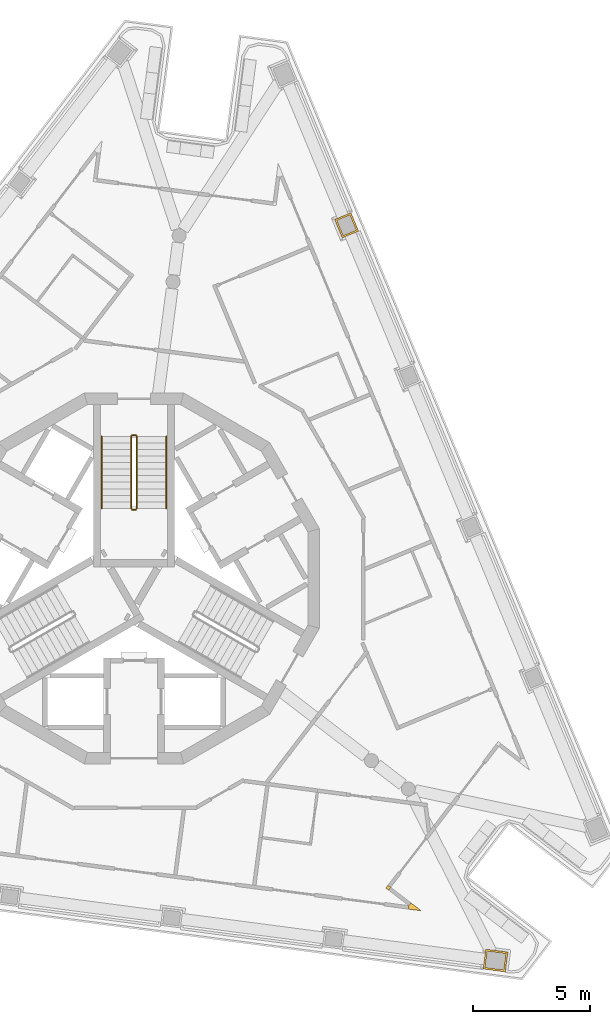
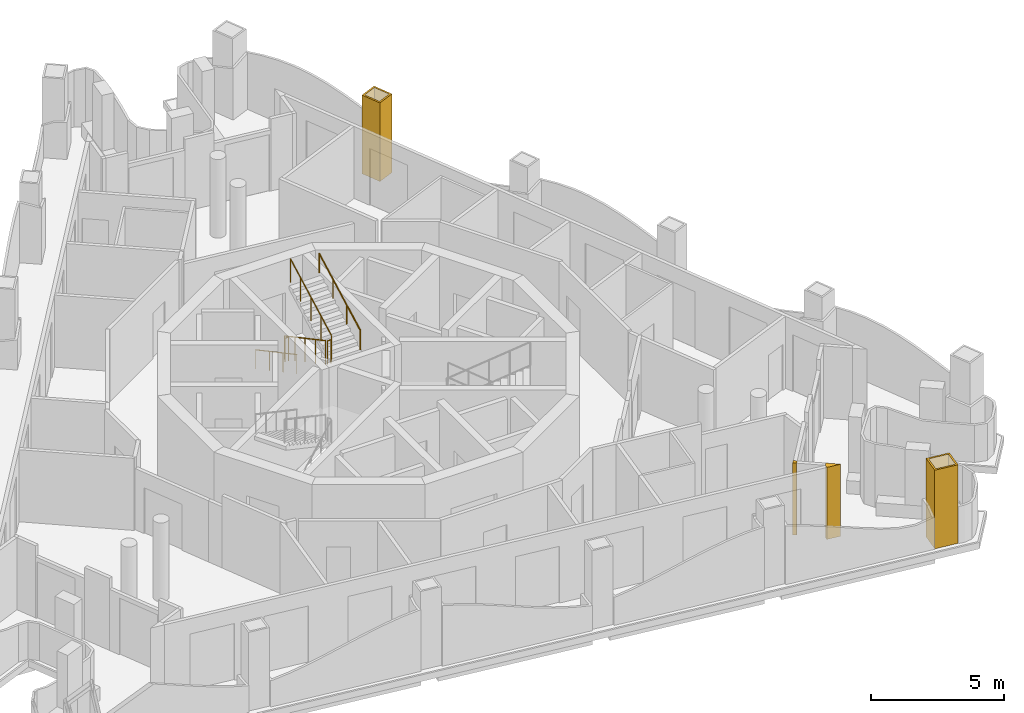
# One storey, part 10 of 12: 6 railings, 4 coverings.
"""IFC4 building model written with IfcOpenShell, lengths in metres."""

from ifc_helpers import new_model, si_unit, direction, frame, origin, origin_2d, place, context, subcontext, project, spatial, polyline, circle, outline, extrude, material, layer, layer_set, type_object, element, save


model = new_model("IFC4")

# Units and contexts
model_context = context("Model", 3, precision=1e-05, world=origin(), true_north=direction((0.0, 1.0)))
body_context = subcontext(model_context, "Body", "Model", "MODEL_VIEW")
ifc_project = project(units=[si_unit("LENGTHUNIT", "METRE"), si_unit("AREAUNIT", "SQUARE_METRE"), si_unit("VOLUMEUNIT", "CUBIC_METRE"), si_unit("PLANEANGLEUNIT", "RADIAN"), si_unit("MASSUNIT", "GRAM", prefix="KILO")], contexts=[model_context])

# Site, building, storey
site_placement = place(None, origin())
site = spatial("IfcSite", under=ifc_project, at=site_placement, CompositionType="ELEMENT")
building_placement = place(site_placement, origin())
building = spatial("IfcBuilding", under=site, at=building_placement, Name="Trine Commons Tower", CompositionType="ELEMENT")
storey_placement = place(building_placement, frame((0.0, 0.0, 289.800048828125)))
storey = spatial("IfcBuildingStorey", under=building, at=storey_placement, Name="L76", CompositionType="ELEMENT", Elevation=289.800048828125)

# Coverings
ifc_material_1 = material(Name="Aluminium-framed insulated wall panel", Category="aluminium")
ifc_layer_1 = layer(ifc_material_1, 0.14990234375)
ifc_layer_set_1 = layer_set([ifc_layer_1], Name="Aluminium-framed insulated wall panel")
covering_type_1 = type_object("IfcCoveringType", Name="Glazing corner post, aluminium", PredefinedType="CLADDING", material=ifc_layer_set_1)
covering_1_placement = place(storey_placement, origin())
element("IfcCovering", 1, at=covering_1_placement, inside=storey, type_object=covering_type_1, Name="Glazing corner post 8-08", PredefinedType="CLADDING", context=body_context, shape_type="SweptSolid", body=[
    extrude(outline(polyline([(90.86962890625, 49.193115234375), (90.9609375, 49.312255859375), (90.841796875, 49.403564453125), (90.75048828125, 49.284423828125), (90.86962890625, 49.193115234375)])), origin(), (0.0, 0.0, 1.0), 3.300048828125),
])
covering_2_placement = place(storey_placement, origin())
element("IfcCovering", 2, at=covering_2_placement, inside=storey, type_object=covering_type_1, Name="Glazing corner post 8-09", PredefinedType="CLADDING", context=body_context, shape_type="SweptSolid", body=[
    extrude(outline(polyline([(91.71142578125, 48.383544921875), (92.266357421875, 48.310302734375), (91.822265625, 48.651123046875), (91.73095703125, 48.5322265625), (91.71142578125, 48.383544921875)])), origin(), (0.0, 0.0, 1.0), 3.300048828125),
])
ifc_material_2 = material(Name="Limestone, honed", Category="masonry")
ifc_layer_2 = layer(ifc_material_2, 0.074951171875)
ifc_layer_set_2 = layer_set([ifc_layer_2], Name="Limestone, honed")
covering_type_2 = type_object("IfcCoveringType", Name="Limestone column cladding 75", PredefinedType="CLADDING", material=ifc_layer_set_2)
covering_3_placement = place(storey_placement, origin())
element("IfcCovering", 3, at=covering_3_placement, inside=storey, type_object=covering_type_2, Name="Limestone pier cladding 8-01", PredefinedType="CLADDING", context=body_context, shape_type="SweptSolid", body=[
    extrude(outline(polyline([(95.019287109375, 46.672119140625), (94.908447265625, 45.829345703125), (95.850341796875, 45.705322265625), (95.961181640625, 46.548095703125), (95.019287109375, 46.672119140625)]), holes=[polyline([(95.083984375, 46.587890625), (94.992431640625, 45.893798828125), (95.78564453125, 45.78955078125), (95.877197265625, 46.4833984375), (95.083984375, 46.587890625)])]), origin(), (0.0, 0.0, 1.0), 3.599853515625),
])
covering_4_placement = place(storey_placement, origin())
element("IfcCovering", 4, at=covering_4_placement, inside=storey, type_object=covering_type_2, Name="Limestone pier cladding 8-14", PredefinedType="CLADDING", context=body_context, shape_type="SweptSolid", body=[
    extrude(outline(polyline([(89.2607421875, 78.11669921875), (88.56787109375, 77.82958984375), (88.89306640625, 77.04443359375), (89.5859375, 77.33154296875), (89.2607421875, 78.11669921875)]), holes=[polyline([(89.22021484375, 78.018798828125), (88.665771484375, 77.789306640625), (88.93359375, 77.142333984375), (89.488037109375, 77.3720703125), (89.22021484375, 78.018798828125)])]), origin(), (0.0, 0.0, 1.0), 3.599853515625),
])

# Railings
ifc_material_3 = material(Name="Stainless steel balustrade", Category="steel")
railing_type_1 = type_object("IfcRailingType", Name="Stair guard, steel balustrade 1100", PredefinedType="GUARDRAIL", material=ifc_material_3)
railing_1_placement = place(storey_placement, frame((79.875, 68.570556640625, 0.14990234375)))
element("IfcRailing", 5, at=railing_1_placement, inside=storey, type_object=railing_type_1, Name="L76 ST1D stair guard 1", PredefinedType="GUARDRAIL", context=body_context, shape_type="SweptSolid", body=[
    extrude(circle(Radius=0.02392578125, at=origin_2d()), frame((0.0, 0.0, 1.076171875), z_axis=(0.0, -0.881467505477, 0.472244678941), x_axis=(1.0, 0.0, 0.0)), (0.0, 0.0, 1.0), 3.494140625),
    extrude(circle(Radius=0.02099609375, at=origin_2d()), origin(), (0.0, 0.0, 1.0), 1.052001953125),
    extrude(circle(Radius=0.02099609375, at=origin_2d()), frame((0.0, -0.77001953125, 0.41259765625)), (0.0, 0.0, 1.0), 1.052001953125),
    extrude(circle(Radius=0.02099609375, at=origin_2d()), frame((0.0, -1.5400390625, 0.8251953125)), (0.0, 0.0, 1.0), 1.052001953125),
    extrude(circle(Radius=0.02099609375, at=origin_2d()), frame((0.0, -2.31005859375, 1.237548828125)), (0.0, 0.0, 1.0), 1.052001953125),
    extrude(circle(Radius=0.02099609375, at=origin_2d()), frame((0.0, -3.080078125, 1.650146484375)), (0.0, 0.0, 1.0), 1.052001953125),
])
railing_2_placement = place(storey_placement, frame((79.925048828125, 65.440673828125, 1.800048828125)))
element("IfcRailing", 6, at=railing_2_placement, inside=storey, type_object=railing_type_1, Name="L76 ST1D stair guard 2", PredefinedType="GUARDRAIL", context=body_context, shape_type="SweptSolid", body=[
    extrude(circle(Radius=0.02392578125, at=origin_2d()), frame((0.0, 0.0, 1.076171875), z_axis=(1.0, 0.0, 0.0), x_axis=(0.0, 1.0, 0.0)), (0.0, 0.0, 1.0), 0.14990234375),
    extrude(circle(Radius=0.02099609375, at=origin_2d()), origin(), (0.0, 0.0, 1.0), 1.052001953125),
    extrude(circle(Radius=0.02099609375, at=origin_2d()), frame((0.14990234375, 0.0, 0.0)), (0.0, 0.0, 1.0), 1.052001953125),
])
railing_3_placement = place(storey_placement, frame((80.125, 65.490478515625, 1.949951171875)))
element("IfcRailing", 7, at=railing_3_placement, inside=storey, type_object=railing_type_1, Name="L76 ST1D stair guard 3", PredefinedType="GUARDRAIL", context=body_context, shape_type="SweptSolid", body=[
    extrude(circle(Radius=0.02392578125, at=origin_2d()), frame((0.0, 0.0, 1.076171875), z_axis=(0.0, 0.881496589024, 0.472190389079), x_axis=(-1.0, 0.0, 0.0)), (0.0, 0.0, 1.0), 3.494140625),
    extrude(circle(Radius=0.02099609375, at=origin_2d()), origin(), (0.0, 0.0, 1.0), 1.052001953125),
    extrude(circle(Radius=0.02099609375, at=origin_2d()), frame((0.0, 0.77001953125, 0.41259765625)), (0.0, 0.0, 1.0), 1.052001953125),
    extrude(circle(Radius=0.02099609375, at=origin_2d()), frame((0.0, 1.5400390625, 0.824951171875)), (0.0, 0.0, 1.0), 1.052001953125),
    extrude(circle(Radius=0.02099609375, at=origin_2d()), frame((0.0, 2.31005859375, 1.2373046875)), (0.0, 0.0, 1.0), 1.052001953125),
    extrude(circle(Radius=0.02099609375, at=origin_2d()), frame((0.0, 3.080078125, 1.64990234375)), (0.0, 0.0, 1.0), 1.052001953125),
])
railing_4_placement = place(storey_placement, frame((79.925048828125, 68.62060546875, 0.0)))
element("IfcRailing", 8, at=railing_4_placement, inside=storey, type_object=railing_type_1, Name="L76 ST1D stair guard 4", PredefinedType="GUARDRAIL", context=body_context, shape_type="SweptSolid", body=[
    extrude(circle(Radius=0.02392578125, at=origin_2d()), frame((0.0, 0.0, 1.076171875), z_axis=(1.0, 0.0, 0.0), x_axis=(0.0, 1.0, 0.0)), (0.0, 0.0, 1.0), 0.14990234375),
    extrude(circle(Radius=0.02099609375, at=origin_2d()), origin(), (0.0, 0.0, 1.0), 1.052001953125),
    extrude(circle(Radius=0.02099609375, at=origin_2d()), frame((0.14990234375, 0.0, 0.0)), (0.0, 0.0, 1.0), 1.052001953125),
])
ifc_material_4 = material(Name="Stainless steel handrail", Category="steel")
railing_type_2 = type_object("IfcRailingType", Name="Stair handrail, steel 900", PredefinedType="HANDRAIL", material=ifc_material_4)
railing_5_placement = place(storey_placement, frame((78.625, 68.570556640625, 0.14990234375)))
element("IfcRailing", 9, at=railing_5_placement, inside=storey, type_object=railing_type_2, Name="L76 ST1D stair handrail 1", PredefinedType="HANDRAIL", context=body_context, shape_type="SweptSolid", body=[
    extrude(circle(Radius=0.02099609375, at=origin_2d()), frame((0.0, 0.0, 0.87890625), z_axis=(0.0, -0.881467505477, 0.472244678941), x_axis=(1.0, 0.0, 0.0)), (0.0, 0.0, 1.0), 3.494140625),
    extrude(circle(Radius=0.01513671875, at=origin_2d()), origin(), (0.0, 0.0, 1.0), 0.85791015625),
    extrude(circle(Radius=0.01513671875, at=origin_2d()), frame((0.0, -1.026611328125, 0.550048828125)), (0.0, 0.0, 1.0), 0.85791015625),
    extrude(circle(Radius=0.01513671875, at=origin_2d()), frame((0.0, -2.053466796875, 1.10009765625)), (0.0, 0.0, 1.0), 0.85791015625),
    extrude(circle(Radius=0.01513671875, at=origin_2d()), frame((0.0, -3.080078125, 1.650146484375)), (0.0, 0.0, 1.0), 0.85791015625),
])
railing_6_placement = place(storey_placement, frame((81.375, 65.490478515625, 1.949951171875)))
element("IfcRailing", 10, at=railing_6_placement, inside=storey, type_object=railing_type_2, Name="L76 ST1D stair handrail 2", PredefinedType="HANDRAIL", context=body_context, shape_type="SweptSolid", body=[
    extrude(circle(Radius=0.02099609375, at=origin_2d()), frame((0.0, 0.0, 0.87890625), z_axis=(0.0, 0.881496589024, 0.472190389079), x_axis=(-1.0, 0.0, 0.0)), (0.0, 0.0, 1.0), 3.494140625),
    extrude(circle(Radius=0.01513671875, at=origin_2d()), origin(), (0.0, 0.0, 1.0), 0.85791015625),
    extrude(circle(Radius=0.01513671875, at=origin_2d()), frame((0.0, 1.026611328125, 0.550048828125)), (0.0, 0.0, 1.0), 0.85791015625),
    extrude(circle(Radius=0.01513671875, at=origin_2d()), frame((0.0, 2.053466796875, 1.099853515625)), (0.0, 0.0, 1.0), 0.85791015625),
    extrude(circle(Radius=0.01513671875, at=origin_2d()), frame((0.0, 3.080078125, 1.64990234375)), (0.0, 0.0, 1.0), 0.85791015625),
])

save(model, "model.ifc")
